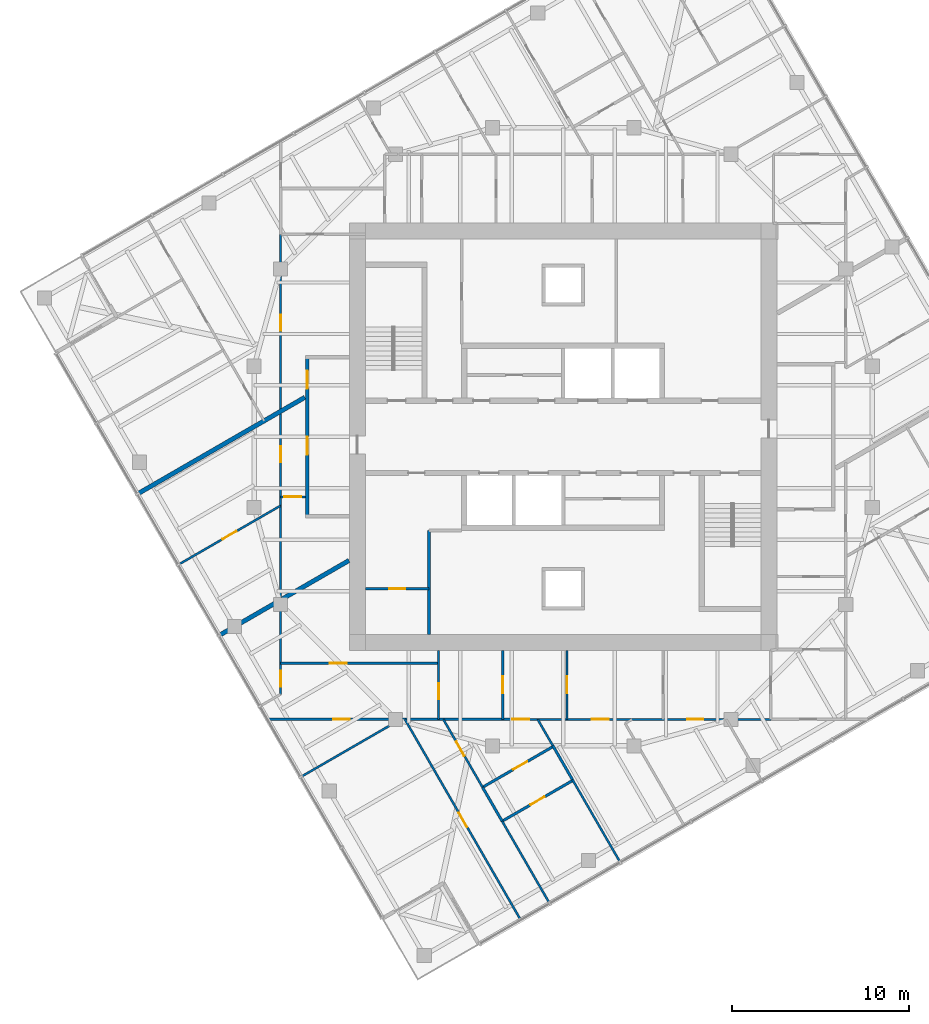
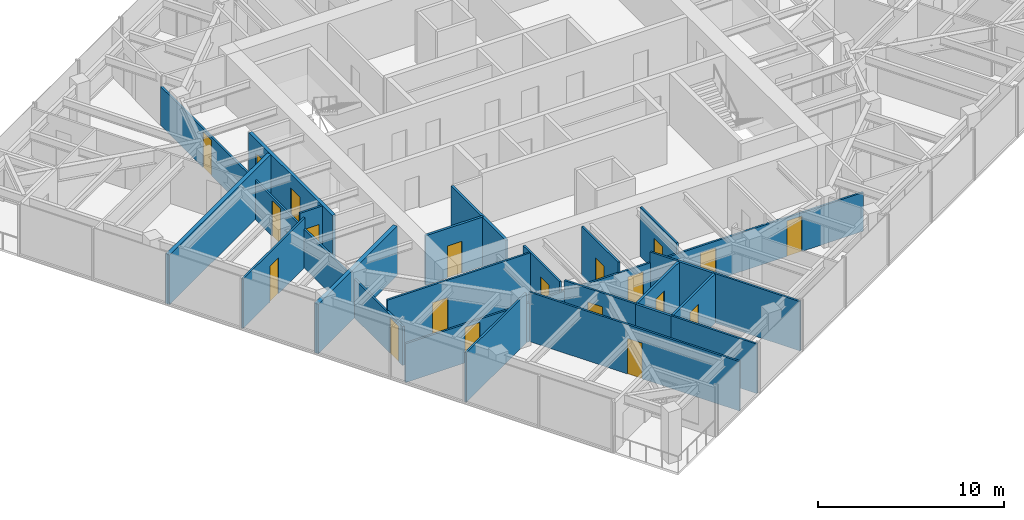
# One storey, part 7 of 12: 23 walls, 20 doors, 20 openings.
"""IFC4 building model written with IfcOpenShell, lengths in metres."""

from ifc_helpers import new_model, si_unit, direction, frame, frame_2d, origin, place, context, subcontext, project, spatial, rectangle, extrude, material, layer, layer_set, type_object, element, fill, save


model = new_model("IFC4")

# Units and contexts
model_context = context("Model", 3, precision=1e-05, world=origin(), true_north=direction((0.0, 1.0)))
body_context = subcontext(model_context, "Body", "Model", "MODEL_VIEW")
ifc_project = project(units=[si_unit("LENGTHUNIT", "METRE"), si_unit("AREAUNIT", "SQUARE_METRE"), si_unit("VOLUMEUNIT", "CUBIC_METRE"), si_unit("PLANEANGLEUNIT", "RADIAN"), si_unit("MASSUNIT", "GRAM", prefix="KILO")], contexts=[model_context])

# Site, building, storey
site_placement = place(None, origin())
site = spatial("IfcSite", under=ifc_project, at=site_placement, CompositionType="ELEMENT")
building_placement = place(site_placement, origin())
building = spatial("IfcBuilding", under=site, at=building_placement, Name="Torsade Residences", CompositionType="ELEMENT")
storey_placement = place(building_placement, frame((0.0, 0.0, 221.800048828125)))
storey = spatial("IfcBuildingStorey", under=building, at=storey_placement, Name="L61", CompositionType="ELEMENT", Elevation=221.800048828125)

# Wall, openings, doors
ifc_material_1 = material(Name="Plasterboard on steel stud", Category="steel")
ifc_layer_1 = layer(ifc_material_1, 0.199951171875)
ifc_layer_set_1 = layer_set([ifc_layer_1], Name="Plasterboard on steel stud")
wall_type_1 = type_object("IfcWallType", Name="CORRIDOR WALL 200", PredefinedType="PARTITIONING", material=ifc_layer_set_1)
wall_1_placement = place(storey_placement, frame((25.5, 25.5, 0.0), z_axis=(0.0, 0.0, 1.0), x_axis=(0.0, 1.0, 0.0)))
wall_1 = element("IfcWall", 1, at=wall_1_placement, inside=storey, type_object=wall_type_1, Name="Corridor wall L61", PredefinedType="PARTITIONING", context=body_context, shape_type="SweptSolid", body=[
    extrude(rectangle(XDim=9.0, YDim=0.199951171875, at=frame_2d((4.5, 0.0))), origin(), (0.0, 0.0, 1.0), 3.25),
])
opening_1_placement = place(wall_1_placement, frame((3.4921875, 0.0, 0.0)))
opening_1 = element("IfcOpeningElement", 2, at=opening_1_placement, cuts=wall_1, Name="Opening D01", PredefinedType="OPENING", context=body_context, shape_type="SweptSolid", body=[
    extrude(rectangle(XDim=1.02001953125, YDim=2.340087890625, at=frame_2d((0.510009765625, 1.169921875))), frame((0.0, 0.10986328125, 0.0), z_axis=(0.0, -1.0, 0.0), x_axis=(1.0, 0.0, 0.0)), (0.0, 0.0, 1.0), 0.219970703125),
])
opening_2_placement = place(wall_1_placement, frame((7.229248046875, 0.0, 0.0)))
opening_2 = element("IfcOpeningElement", 3, at=opening_2_placement, cuts=wall_1, Name="Opening D01", PredefinedType="OPENING", context=body_context, shape_type="SweptSolid", body=[
    extrude(rectangle(XDim=1.02001953125, YDim=2.340087890625, at=frame_2d((0.510009765625, 1.169921875))), frame((0.0, 0.10986328125, 0.0), z_axis=(0.0, -1.0, 0.0), x_axis=(1.0, 0.0, 0.0)), (0.0, 0.0, 1.0), 0.219970703125),
])
ifc_material_2 = material(Name="Solid-core timber fire door", Category="wood")
door_type_1 = type_object("IfcDoorType", Name="APARTMENT ENTRY DOOR 1020x2340", OperationType="NOTDEFINED", PredefinedType="DOOR", material=ifc_material_2)
door_1_placement = place(opening_1_placement, origin())
door_1 = element("IfcDoor", 4, at=door_1_placement, inside=storey, type_object=door_type_1, Name="Door Residential corridor to Kitchen and dining", OperationType="SINGLE_SWING_RIGHT", OverallHeight=2.340087890625, OverallWidth=1.02001953125, PredefinedType="DOOR", context=body_context, shape_type="SweptSolid", body=[
    extrude(rectangle(XDim=1.02001953125, YDim=2.340087890625, at=frame_2d((0.510009765625, 1.169921875))), frame((0.0, 0.02490234375, 0.0), z_axis=(0.0, -1.0, 0.0), x_axis=(1.0, 0.0, 0.0)), (0.0, 0.0, 1.0), 0.050048828125),
])
fill(opening_1, door_1)
door_2_placement = place(opening_2_placement, origin())
door_2 = element("IfcDoor", 5, at=door_2_placement, inside=storey, type_object=door_type_1, Name="Door Residential corridor to Kitchen and dining", OperationType="SINGLE_SWING_LEFT", OverallHeight=2.340087890625, OverallWidth=1.02001953125, PredefinedType="DOOR", context=body_context, shape_type="SweptSolid", body=[
    extrude(rectangle(XDim=1.02001953125, YDim=2.340087890625, at=frame_2d((0.510009765625, 1.169921875))), frame((0.0, 0.02490234375, 0.0), z_axis=(0.0, -1.0, 0.0), x_axis=(1.0, 0.0, 0.0)), (0.0, 0.0, 1.0), 0.050048828125),
])
fill(opening_2, door_2)

# Wall, opening, door
ifc_material_3 = material(Name="Plasterboard on steel stud", Category="steel")
ifc_layer_2 = layer(ifc_material_3, 0.1201171875)
ifc_layer_set_2 = layer_set([ifc_layer_2], Name="Plasterboard on steel stud")
wall_type_2 = type_object("IfcWallType", Name="PARTITION 120", PredefinedType="PARTITIONING", material=ifc_layer_set_2)
wall_2_placement = place(storey_placement, frame((25.39990234375, 26.598388671875, 0.0), z_axis=(0.0, 0.0, 1.0), x_axis=(-1.0, 0.0, 0.0)))
wall_2 = element("IfcWall", 6, at=wall_2_placement, inside=storey, type_object=wall_type_2, Name="Partition L61", PredefinedType="PARTITIONING", context=body_context, shape_type="SweptSolid", body=[
    extrude(rectangle(XDim=1.39990234375, YDim=0.1201171875, at=frame_2d((0.699951171875, 0.0))), origin(), (0.0, 0.0, 1.0), 3.25),
])
opening_3_placement = place(wall_2_placement, frame((0.219970703125, 0.0, 0.0)))
opening_3 = element("IfcOpeningElement", 7, at=opening_3_placement, cuts=wall_2, Name="Opening D05", PredefinedType="OPENING", context=body_context, shape_type="SweptSolid", body=[
    extrude(rectangle(XDim=0.9599609375, YDim=2.10009765625, at=frame_2d((0.47998046875, 1.050048828125))), frame((0.0, 0.070068359375, 0.0), z_axis=(0.0, -1.0, 0.0), x_axis=(1.0, 0.0, 0.0)), (0.0, 0.0, 1.0), 0.14013671875),
])
ifc_material_4 = material(Name="Hollow-core timber door in a steel cavity frame", Category="steel")
door_type_2 = type_object("IfcDoorType", Name="BATHROOM CAVITY SLIDING DOOR 960", OperationType="SLIDING_TO_LEFT", PredefinedType="DOOR", material=ifc_material_4)
door_3_placement = place(opening_3_placement, origin())
door_3 = element("IfcDoor", 8, at=door_3_placement, inside=storey, type_object=door_type_2, Name="Door Kitchen and dining to Bathroom", OperationType="SLIDING_TO_LEFT", OverallHeight=2.10009765625, OverallWidth=0.9599609375, PredefinedType="DOOR", context=body_context, shape_type="SweptSolid", body=[
    extrude(rectangle(XDim=0.9599609375, YDim=2.10009765625, at=frame_2d((0.47998046875, 1.050048828125))), frame((0.0, 0.02490234375, 0.0), z_axis=(0.0, -1.0, 0.0), x_axis=(1.0, 0.0, 0.0)), (0.0, 0.0, 1.0), 0.050048828125),
])
fill(opening_3, door_3)

# Wall, openings, doors
wall_3_placement = place(storey_placement, frame((24.0, 15.421875, 0.0), z_axis=(0.0, 0.0, 1.0), x_axis=(0.0, 1.0, 0.0)))
wall_3 = element("IfcWall", 9, at=wall_3_placement, inside=storey, type_object=wall_type_2, Name="Partition L61", PredefinedType="PARTITIONING", context=body_context, shape_type="SweptSolid", body=[
    extrude(rectangle(XDim=26.044677734375, YDim=0.1201171875, at=frame_2d((13.0224609375, 0.0))), origin(), (0.0, 0.0, 1.0), 2.550048828125),
])
opening_4_placement = place(wall_3_placement, frame((13.138916015625, 0.0, 0.0)))
opening_4 = element("IfcOpeningElement", 10, at=opening_4_placement, cuts=wall_3, Name="Opening D02", PredefinedType="OPENING", context=body_context, shape_type="SweptSolid", body=[
    extrude(rectangle(XDim=0.919921875, YDim=2.340087890625, at=frame_2d((0.4599609375, 1.169921875))), frame((0.0, 0.070068359375, 0.0), z_axis=(0.0, -1.0, 0.0), x_axis=(1.0, 0.0, 0.0)), (0.0, 0.0, 1.0), 0.14013671875),
])
opening_5_placement = place(wall_3_placement, frame((20.572998046875, 0.0, 0.0)))
opening_5 = element("IfcOpeningElement", 11, at=opening_5_placement, cuts=wall_3, Name="Opening D02", PredefinedType="OPENING", context=body_context, shape_type="SweptSolid", body=[
    extrude(rectangle(XDim=0.919921875, YDim=2.340087890625, at=frame_2d((0.4599609375, 1.169921875))), frame((0.0, 0.070068359375, 0.0), z_axis=(0.0, -1.0, 0.0), x_axis=(1.0, 0.0, 0.0)), (0.0, 0.0, 1.0), 0.14013671875),
])
opening_6_placement = place(wall_3_placement, frame((0.42041015625, 0.0, 0.0)))
opening_6 = element("IfcOpeningElement", 12, at=opening_6_placement, cuts=wall_3, Name="Opening D02", PredefinedType="OPENING", context=body_context, shape_type="SweptSolid", body=[
    extrude(rectangle(XDim=0.919921875, YDim=2.340087890625, at=frame_2d((0.4599609375, 1.169921875))), frame((0.0, 0.070068359375, 0.0), z_axis=(0.0, -1.0, 0.0), x_axis=(1.0, 0.0, 0.0)), (0.0, 0.0, 1.0), 0.14013671875),
])
ifc_material_5 = material(Name="Hollow-core timber door", Category="wood")
door_type_3 = type_object("IfcDoorType", Name="INTERNAL DOOR 920x2340", OperationType="NOTDEFINED", PredefinedType="DOOR", material=ifc_material_5)
door_4_placement = place(opening_4_placement, origin())
door_4 = element("IfcDoor", 13, at=door_4_placement, inside=storey, type_object=door_type_3, Name="Door Kitchen and dining to Living room", OperationType="SINGLE_SWING_RIGHT", OverallHeight=2.340087890625, OverallWidth=0.919921875, PredefinedType="DOOR", context=body_context, shape_type="SweptSolid", body=[
    extrude(rectangle(XDim=0.919921875, YDim=2.340087890625, at=frame_2d((0.4599609375, 1.169921875))), frame((0.0, 0.02490234375, 0.0), z_axis=(0.0, -1.0, 0.0), x_axis=(1.0, 0.0, 0.0)), (0.0, 0.0, 1.0), 0.050048828125),
])
fill(opening_4, door_4)
door_5_placement = place(opening_5_placement, origin())
door_5 = element("IfcDoor", 14, at=door_5_placement, inside=storey, type_object=door_type_3, Name="Door Kitchen and dining to Living room", OperationType="SINGLE_SWING_RIGHT", OverallHeight=2.340087890625, OverallWidth=0.919921875, PredefinedType="DOOR", context=body_context, shape_type="SweptSolid", body=[
    extrude(rectangle(XDim=0.919921875, YDim=2.340087890625, at=frame_2d((0.4599609375, 1.169921875))), frame((0.0, 0.02490234375, 0.0), z_axis=(0.0, -1.0, 0.0), x_axis=(1.0, 0.0, 0.0)), (0.0, 0.0, 1.0), 0.050048828125),
])
fill(opening_5, door_5)
door_6_placement = place(opening_6_placement, origin())
door_6 = element("IfcDoor", 15, at=door_6_placement, inside=storey, type_object=door_type_3, Name="Door Dressing room to Study 3", OperationType="SINGLE_SWING_LEFT", OverallHeight=2.340087890625, OverallWidth=0.919921875, PredefinedType="DOOR", context=body_context, shape_type="SweptSolid", body=[
    extrude(rectangle(XDim=0.919921875, YDim=2.340087890625, at=frame_2d((0.4599609375, 1.169921875))), frame((0.0, 0.02490234375, 0.0), z_axis=(0.0, -1.0, 0.0), x_axis=(1.0, 0.0, 0.0)), (0.0, 0.0, 1.0), 0.050048828125),
])
fill(opening_6, door_6)

# Wall, opening, door
wall_4_placement = place(storey_placement, frame((24.0, 26.10302734375, 0.0), z_axis=(0.0, 0.0, 1.0), x_axis=(-0.866017585169, -0.500013541994, 0.0)))
wall_4 = element("IfcWall", 16, at=wall_4_placement, inside=storey, type_object=wall_type_2, Name="Partition L61", PredefinedType="PARTITIONING", context=body_context, shape_type="SweptSolid", body=[
    extrude(rectangle(XDim=6.655029296875, YDim=0.1201171875, at=frame_2d((3.32763671875, 0.0))), origin(), (0.0, 0.0, 1.0), 3.25),
])
opening_7_placement = place(wall_4_placement, frame((2.887451171875, 0.0, 0.0)))
opening_7 = element("IfcOpeningElement", 17, at=opening_7_placement, cuts=wall_4, Name="Opening D02", PredefinedType="OPENING", context=body_context, shape_type="SweptSolid", body=[
    extrude(rectangle(XDim=0.919921875, YDim=2.340087890625, at=frame_2d((0.4599609375, 1.169921875))), frame((0.0, 0.070068359375, 0.0), z_axis=(0.0, -1.0, 0.0), x_axis=(1.0, 0.0, 0.0)), (0.0, 0.0, 1.0), 0.14013671875),
])
door_7_placement = place(opening_7_placement, origin())
door_7 = element("IfcDoor", 18, at=door_7_placement, inside=storey, type_object=door_type_3, Name="Door Living room to Bedroom 1", OperationType="SINGLE_SWING_LEFT", OverallHeight=2.340087890625, OverallWidth=0.919921875, PredefinedType="DOOR", context=body_context, shape_type="SweptSolid", body=[
    extrude(rectangle(XDim=0.919921875, YDim=2.340087890625, at=frame_2d((0.4599609375, 1.169921875))), frame((0.0, 0.02490234375, 0.0), z_axis=(0.0, -1.0, 0.0), x_axis=(1.0, 0.0, 0.0)), (0.0, 0.0, 1.0), 0.050048828125),
])
fill(opening_7, door_7)

wall_5_placement = place(storey_placement, frame((32.944091796875, 17.1826171875, 0.0), z_axis=(0.0, 0.0, 1.0), x_axis=(-1.0, 0.0, 0.0)))
wall_5 = element("IfcWall", 19, at=wall_5_placement, inside=storey, type_object=wall_type_2, Name="Partition L61", PredefinedType="PARTITIONING", context=body_context, shape_type="SweptSolid", body=[
    extrude(rectangle(XDim=8.944091796875, YDim=0.1201171875, at=frame_2d((4.47216796875, 0.0))), origin(), (0.0, 0.0, 1.0), 3.25),
])
opening_8_placement = place(wall_5_placement, frame((5.192138671875, 0.0, 0.0)))
opening_8 = element("IfcOpeningElement", 20, at=opening_8_placement, cuts=wall_5, Name="Opening D05", PredefinedType="OPENING", context=body_context, shape_type="SweptSolid", body=[
    extrude(rectangle(XDim=0.9599609375, YDim=2.10009765625, at=frame_2d((0.47998046875, 1.050048828125))), frame((0.0, 0.070068359375, 0.0), z_axis=(0.0, -1.0, 0.0), x_axis=(1.0, 0.0, 0.0)), (0.0, 0.0, 1.0), 0.14013671875),
])
door_8_placement = place(opening_8_placement, origin())
door_8 = element("IfcDoor", 21, at=door_8_placement, inside=storey, type_object=door_type_2, Name="Door Dressing room to Bathroom", OperationType="SLIDING_TO_LEFT", OverallHeight=2.10009765625, OverallWidth=0.9599609375, PredefinedType="DOOR", context=body_context, shape_type="SweptSolid", body=[
    extrude(rectangle(XDim=0.9599609375, YDim=2.10009765625, at=frame_2d((0.47998046875, 1.050048828125))), frame((0.0, 0.02490234375, 0.0), z_axis=(0.0, -1.0, 0.0), x_axis=(1.0, 0.0, 0.0)), (0.0, 0.0, 1.0), 0.050048828125),
])
fill(opening_8, door_8)

wall_6_placement = place(storey_placement, frame((32.944091796875, 17.89990234375, 0.0), z_axis=(0.0, 0.0, 1.0), x_axis=(0.0, -1.0, 0.0)))
wall_6 = element("IfcWall", 22, at=wall_6_placement, inside=storey, type_object=wall_type_2, Name="Partition L61", PredefinedType="PARTITIONING", context=body_context, shape_type="SweptSolid", body=[
    extrude(rectangle(XDim=3.89990234375, YDim=0.1201171875, at=frame_2d((1.949951171875, 0.0))), origin(), (0.0, 0.0, 1.0), 3.25),
])
opening_9_placement = place(wall_6_placement, frame((1.8486328125, 0.0, 0.0)))
opening_9 = element("IfcOpeningElement", 23, at=opening_9_placement, cuts=wall_6, Name="Opening D02", PredefinedType="OPENING", context=body_context, shape_type="SweptSolid", body=[
    extrude(rectangle(XDim=0.919921875, YDim=2.340087890625, at=frame_2d((0.4599609375, 1.169921875))), frame((0.0, 0.070068359375, 0.0), z_axis=(0.0, -1.0, 0.0), x_axis=(1.0, 0.0, 0.0)), (0.0, 0.0, 1.0), 0.14013671875),
])
door_9_placement = place(opening_9_placement, origin())
door_9 = element("IfcDoor", 24, at=door_9_placement, inside=storey, type_object=door_type_3, Name="Door Dressing room 2 to Dressing room", OperationType="SINGLE_SWING_RIGHT", OverallHeight=2.340087890625, OverallWidth=0.919921875, PredefinedType="DOOR", context=body_context, shape_type="SweptSolid", body=[
    extrude(rectangle(XDim=0.919921875, YDim=2.340087890625, at=frame_2d((0.4599609375, 1.169921875))), frame((0.0, 0.02490234375, 0.0), z_axis=(0.0, -1.0, 0.0), x_axis=(1.0, 0.0, 0.0)), (0.0, 0.0, 1.0), 0.050048828125),
])
fill(opening_9, door_9)

# Wall, openings, doors
wall_7_placement = place(storey_placement, frame((51.757080078125, 14.0, 0.0), z_axis=(0.0, 0.0, 1.0), x_axis=(-0.999999938148, 0.000351716958, 0.0)))
wall_7 = element("IfcWall", 25, at=wall_7_placement, inside=storey, type_object=wall_type_2, Name="Partition L61", PredefinedType="PARTITIONING", context=body_context, shape_type="SweptSolid", body=[
    extrude(rectangle(XDim=28.459716796875, YDim=0.1201171875, at=frame_2d((14.22998046875, 0.0))), origin(), (0.0, 0.0, 1.0), 2.550048828125),
])
opening_10_placement = place(wall_7_placement, frame((3.81982421875, 0.0, 0.0)))
opening_10 = element("IfcOpeningElement", 26, at=opening_10_placement, cuts=wall_7, Name="Opening D02", PredefinedType="OPENING", context=body_context, shape_type="SweptSolid", body=[
    extrude(rectangle(XDim=0.919921875, YDim=2.340087890625, at=frame_2d((0.4599609375, 1.169921875))), frame((0.0, 0.070068359375, 0.0), z_axis=(0.0, -1.0, 0.0), x_axis=(1.0, 0.0, 0.0)), (0.0, 0.0, 1.0), 0.14013671875),
])
opening_11_placement = place(wall_7_placement, frame((9.170166015625, 0.0, 0.0)))
opening_11 = element("IfcOpeningElement", 27, at=opening_11_placement, cuts=wall_7, Name="Opening D05", PredefinedType="OPENING", context=body_context, shape_type="SweptSolid", body=[
    extrude(rectangle(XDim=0.9599609375, YDim=2.10009765625, at=frame_2d((0.47998046875, 1.050048828125))), frame((0.0, 0.070068359375, 0.0), z_axis=(0.0, -1.0, 0.0), x_axis=(1.0, 0.0, 0.0)), (0.0, 0.0, 1.0), 0.14013671875),
])
opening_12_placement = place(wall_7_placement, frame((13.6796875, 0.0, 0.0)))
opening_12 = element("IfcOpeningElement", 28, at=opening_12_placement, cuts=wall_7, Name="Opening D05", PredefinedType="OPENING", context=body_context, shape_type="SweptSolid", body=[
    extrude(rectangle(XDim=0.9599609375, YDim=2.10009765625, at=frame_2d((0.47998046875, 1.050048828125))), frame((0.0, 0.070068359375, 0.0), z_axis=(0.0, -1.0, 0.0), x_axis=(1.0, 0.0, 0.0)), (0.0, 0.0, 1.0), 0.14013671875),
])
opening_13_placement = place(wall_7_placement, frame((23.853515625, 0.0, 0.0)))
opening_13 = element("IfcOpeningElement", 29, at=opening_13_placement, cuts=wall_7, Name="Opening D02", PredefinedType="OPENING", context=body_context, shape_type="SweptSolid", body=[
    extrude(rectangle(XDim=0.919921875, YDim=2.340087890625, at=frame_2d((0.4599609375, 1.169921875))), frame((0.0, 0.070068359375, 0.0), z_axis=(0.0, -1.0, 0.0), x_axis=(1.0, 0.0, 0.0)), (0.0, 0.0, 1.0), 0.14013671875),
])
door_10_placement = place(opening_11_placement, origin())
door_10 = element("IfcDoor", 30, at=door_10_placement, inside=storey, type_object=door_type_2, Name="Door Laundry to Bedroom 3", OperationType="SLIDING_TO_LEFT", OverallHeight=2.10009765625, OverallWidth=0.9599609375, PredefinedType="DOOR", context=body_context, shape_type="SweptSolid", body=[
    extrude(rectangle(XDim=0.9599609375, YDim=2.10009765625, at=frame_2d((0.47998046875, 1.050048828125))), frame((0.0, 0.02490234375, 0.0), z_axis=(0.0, -1.0, 0.0), x_axis=(1.0, 0.0, 0.0)), (0.0, 0.0, 1.0), 0.050048828125),
])
fill(opening_11, door_10)
door_11_placement = place(opening_12_placement, origin())
door_11 = element("IfcDoor", 31, at=door_11_placement, inside=storey, type_object=door_type_2, Name="Door Ensuite to Walk-in robe 2", OperationType="SLIDING_TO_LEFT", OverallHeight=2.10009765625, OverallWidth=0.9599609375, PredefinedType="DOOR", context=body_context, shape_type="SweptSolid", body=[
    extrude(rectangle(XDim=0.9599609375, YDim=2.10009765625, at=frame_2d((0.47998046875, 1.050048828125))), frame((0.0, 0.02490234375, 0.0), z_axis=(0.0, -1.0, 0.0), x_axis=(1.0, 0.0, 0.0)), (0.0, 0.0, 1.0), 0.050048828125),
])
fill(opening_12, door_11)
door_12_placement = place(opening_10_placement, origin())
door_12 = element("IfcDoor", 32, at=door_12_placement, inside=storey, type_object=door_type_3, Name="Door Walk-in robe to Media room", OperationType="SINGLE_SWING_LEFT", OverallHeight=2.340087890625, OverallWidth=0.919921875, PredefinedType="DOOR", context=body_context, shape_type="SweptSolid", body=[
    extrude(rectangle(XDim=0.919921875, YDim=2.340087890625, at=frame_2d((0.4599609375, 1.169921875))), frame((0.0, 0.02490234375, 0.0), z_axis=(0.0, -1.0, 0.0), x_axis=(1.0, 0.0, 0.0)), (0.0, 0.0, 1.0), 0.050048828125),
])
fill(opening_10, door_12)
door_13_placement = place(opening_13_placement, origin())
door_13 = element("IfcDoor", 33, at=door_13_placement, inside=storey, type_object=door_type_3, Name="Door Dressing room to Dining room 2", OperationType="SINGLE_SWING_LEFT", OverallHeight=2.340087890625, OverallWidth=0.919921875, PredefinedType="DOOR", context=body_context, shape_type="SweptSolid", body=[
    extrude(rectangle(XDim=0.919921875, YDim=2.340087890625, at=frame_2d((0.4599609375, 1.169921875))), frame((0.0, 0.02490234375, 0.0), z_axis=(0.0, -1.0, 0.0), x_axis=(1.0, 0.0, 0.0)), (0.0, 0.0, 1.0), 0.050048828125),
])
fill(opening_13, door_13)

# Wall, opening, door
wall_8_placement = place(storey_placement, frame((36.58056640625, 14.0, 0.0), z_axis=(0.0, 0.0, 1.0), x_axis=(0.0, 1.0, 0.0)))
wall_8 = element("IfcWall", 34, at=wall_8_placement, inside=storey, type_object=wall_type_2, Name="Partition L61", PredefinedType="PARTITIONING", context=body_context, shape_type="SweptSolid", body=[
    extrude(rectangle(XDim=3.89990234375, YDim=0.1201171875, at=frame_2d((1.949951171875, 0.0))), origin(), (0.0, 0.0, 1.0), 3.25),
])
opening_14_placement = place(wall_8_placement, frame((1.469970703125, 0.0, 0.0)))
opening_14 = element("IfcOpeningElement", 35, at=opening_14_placement, cuts=wall_8, Name="Opening D05", PredefinedType="OPENING", context=body_context, shape_type="SweptSolid", body=[
    extrude(rectangle(XDim=0.9599609375, YDim=2.10009765625, at=frame_2d((0.47998046875, 1.050048828125))), frame((0.0, 0.070068359375, 0.0), z_axis=(0.0, -1.0, 0.0), x_axis=(1.0, 0.0, 0.0)), (0.0, 0.0, 1.0), 0.14013671875),
])
door_14_placement = place(opening_14_placement, origin())
door_14 = element("IfcDoor", 36, at=door_14_placement, inside=storey, type_object=door_type_2, Name="Door Ensuite to Dressing room 2", OperationType="SLIDING_TO_LEFT", OverallHeight=2.10009765625, OverallWidth=0.9599609375, PredefinedType="DOOR", context=body_context, shape_type="SweptSolid", body=[
    extrude(rectangle(XDim=0.9599609375, YDim=2.10009765625, at=frame_2d((0.47998046875, 1.050048828125))), frame((0.0, 0.02490234375, 0.0), z_axis=(0.0, -1.0, 0.0), x_axis=(1.0, 0.0, 0.0)), (0.0, 0.0, 1.0), 0.050048828125),
])
fill(opening_14, door_14)

wall_9_placement = place(storey_placement, frame((40.217041015625, 17.89990234375, 0.0), z_axis=(0.0, 0.0, 1.0), x_axis=(0.0, -1.0, 0.0)))
wall_9 = element("IfcWall", 37, at=wall_9_placement, inside=storey, type_object=wall_type_2, Name="Partition L61", PredefinedType="PARTITIONING", context=body_context, shape_type="SweptSolid", body=[
    extrude(rectangle(XDim=3.89990234375, YDim=0.1201171875, at=frame_2d((1.949951171875, 0.0))), origin(), (0.0, 0.0, 1.0), 3.25),
])
opening_15_placement = place(wall_9_placement, frame((1.469970703125, 0.0, 0.0)))
opening_15 = element("IfcOpeningElement", 38, at=opening_15_placement, cuts=wall_9, Name="Opening D05", PredefinedType="OPENING", context=body_context, shape_type="SweptSolid", body=[
    extrude(rectangle(XDim=0.9599609375, YDim=2.10009765625, at=frame_2d((0.47998046875, 1.050048828125))), frame((0.0, 0.070068359375, 0.0), z_axis=(0.0, -1.0, 0.0), x_axis=(1.0, 0.0, 0.0)), (0.0, 0.0, 1.0), 0.14013671875),
])
door_15_placement = place(opening_15_placement, origin())
door_15 = element("IfcDoor", 39, at=door_15_placement, inside=storey, type_object=door_type_2, Name="Door Laundry to Ensuite", OperationType="SLIDING_TO_LEFT", OverallHeight=2.10009765625, OverallWidth=0.9599609375, PredefinedType="DOOR", context=body_context, shape_type="SweptSolid", body=[
    extrude(rectangle(XDim=0.9599609375, YDim=2.10009765625, at=frame_2d((0.47998046875, 1.050048828125))), frame((0.0, 0.02490234375, 0.0), z_axis=(0.0, -1.0, 0.0), x_axis=(1.0, 0.0, 0.0)), (0.0, 0.0, 1.0), 0.050048828125),
])
fill(opening_15, door_15)

wall_10_placement = place(storey_placement, frame((31.03857421875, 14.0, 0.0), z_axis=(0.0, 0.0, 1.0), x_axis=(0.500006184843, -0.866021832934, 0.0)))
wall_10 = element("IfcWall", 40, at=wall_10_placement, inside=storey, type_object=wall_type_2, Name="Partition L61", PredefinedType="PARTITIONING", context=body_context, shape_type="SweptSolid", body=[
    extrude(rectangle(XDim=13.084228515625, YDim=0.1201171875, at=frame_2d((6.5419921875, 0.0))), origin(), (0.0, 0.0, 1.0), 3.25),
])
opening_16_placement = place(wall_10_placement, frame((6.10205078125, 0.0, 0.0)))
opening_16 = element("IfcOpeningElement", 41, at=opening_16_placement, cuts=wall_10, Name="Opening D02", PredefinedType="OPENING", context=body_context, shape_type="SweptSolid", body=[
    extrude(rectangle(XDim=0.919921875, YDim=2.340087890625, at=frame_2d((0.4599609375, 1.169921875))), frame((0.0, 0.070068359375, 0.0), z_axis=(0.0, -1.0, 0.0), x_axis=(1.0, 0.0, 0.0)), (0.0, 0.0, 1.0), 0.14013671875),
])
door_16_placement = place(opening_16_placement, origin())
door_16 = element("IfcDoor", 42, at=door_16_placement, inside=storey, type_object=door_type_3, Name="Door Walk-in robe 3 to Living room", OperationType="SINGLE_SWING_LEFT", OverallHeight=2.340087890625, OverallWidth=0.919921875, PredefinedType="DOOR", context=body_context, shape_type="SweptSolid", body=[
    extrude(rectangle(XDim=0.919921875, YDim=2.340087890625, at=frame_2d((0.4599609375, 1.169921875))), frame((0.0, 0.02490234375, 0.0), z_axis=(0.0, -1.0, 0.0), x_axis=(1.0, 0.0, 0.0)), (0.0, 0.0, 1.0), 0.050048828125),
])
fill(opening_16, door_16)

# Walls
wall_11_placement = place(storey_placement, frame((25.174072265625, 10.75927734375, 0.0), z_axis=(0.0, 0.0, 1.0), x_axis=(0.866023120914, 0.500003954026, 0.0)))
element("IfcWall", 43, at=wall_11_placement, inside=storey, type_object=wall_type_2, Name="Partition L61", PredefinedType="PARTITIONING", context=body_context, shape_type="SweptSolid", body=[
    extrude(rectangle(XDim=6.4814453125, YDim=0.1201171875, at=frame_2d((3.24072265625, 0.0))), origin(), (0.0, 0.0, 1.0), 3.25),
])
wall_12_placement = place(storey_placement, frame((43.21923828125, 5.924072265625, 0.0), z_axis=(0.0, 0.0, 1.0), x_axis=(-0.500003544594, 0.866023357302, 0.0)))
element("IfcWall", 44, at=wall_12_placement, inside=storey, type_object=wall_type_2, Name="Partition L61", PredefinedType="PARTITIONING", context=body_context, shape_type="SweptSolid", body=[
    extrude(rectangle(XDim=5.38818359375, YDim=0.1201171875, at=frame_2d((2.694091796875, 0.0))), origin(), (0.0, 0.0, 1.0), 3.25),
])
wall_13_placement = place(storey_placement, frame((39.415771484375, 12.511962890625, 0.0), z_axis=(0.0, 0.0, 1.0), x_axis=(-0.500005339912, 0.866022320763, 0.0)))
element("IfcWall", 45, at=wall_13_placement, inside=storey, type_object=wall_type_2, Name="Partition L61", PredefinedType="PARTITIONING", context=body_context, shape_type="SweptSolid", body=[
    extrude(rectangle(XDim=1.71826171875, YDim=0.1201171875, at=frame_2d((0.859130859375, 0.0))), origin(), (0.0, 0.0, 1.0), 3.25),
])
wall_14_placement = place(storey_placement, frame((39.2138671875, 3.611572265625, 0.0), z_axis=(0.0, 0.0, 1.0), x_axis=(-0.499995631649, 0.866027925839, 0.0)))
element("IfcWall", 46, at=wall_14_placement, inside=storey, type_object=wall_type_2, Name="Partition L61", PredefinedType="PARTITIONING", context=body_context, shape_type="SweptSolid", body=[
    extrude(rectangle(XDim=5.337890625, YDim=0.1201171875, at=frame_2d((2.6689453125, 0.0))), origin(), (0.0, 0.0, 1.0), 3.25),
])

# Wall, opening, door
wall_15_placement = place(storey_placement, frame((35.435302734375, 10.15625, 0.0), z_axis=(0.0, 0.0, 1.0), x_axis=(-0.499966886051, 0.866044521288, 0.0)))
wall_15 = element("IfcWall", 47, at=wall_15_placement, inside=storey, type_object=wall_type_2, Name="Partition L61", PredefinedType="PARTITIONING", context=body_context, shape_type="SweptSolid", body=[
    extrude(rectangle(XDim=4.438232421875, YDim=0.1201171875, at=frame_2d((2.21923828125, 0.0))), origin(), (0.0, 0.0, 1.0), 3.25),
])
opening_17_placement = place(wall_15_placement, frame((2.05908203125, 0.0, 0.0)))
opening_17 = element("IfcOpeningElement", 48, at=opening_17_placement, cuts=wall_15, Name="Opening D02", PredefinedType="OPENING", context=body_context, shape_type="SweptSolid", body=[
    extrude(rectangle(XDim=0.919921875, YDim=2.340087890625, at=frame_2d((0.4599609375, 1.169921875))), frame((0.0, 0.070068359375, 0.0), z_axis=(0.0, -1.0, 0.0), x_axis=(1.0, 0.0, 0.0)), (0.0, 0.0, 1.0), 0.14013671875),
])
door_17_placement = place(opening_17_placement, origin())
door_17 = element("IfcDoor", 49, at=door_17_placement, inside=storey, type_object=door_type_3, Name="Door Walk-in robe 2 to Walk-in robe 3", OperationType="SINGLE_SWING_RIGHT", OverallHeight=2.340087890625, OverallWidth=0.919921875, PredefinedType="DOOR", context=body_context, shape_type="SweptSolid", body=[
    extrude(rectangle(XDim=0.919921875, YDim=2.340087890625, at=frame_2d((0.4599609375, 1.169921875))), frame((0.0, 0.02490234375, 0.0), z_axis=(0.0, -1.0, 0.0), x_axis=(1.0, 0.0, 0.0)), (0.0, 0.0, 1.0), 0.050048828125),
])
fill(opening_17, door_17)

# Walls
ifc_material_6 = material(Name="Masonry-lined stud party wall", Category="masonry")
ifc_layer_3 = layer(ifc_material_6, 0.25)
ifc_layer_set_3 = layer_set([ifc_layer_3], Name="Masonry-lined stud party wall")
wall_type_3 = type_object("IfcWallType", Name="PARTY WALL 250", PredefinedType="PARTITIONING", material=ifc_layer_set_3)
wall_16_placement = place(storey_placement, frame((15.889404296875, 26.7607421875, 0.0), z_axis=(0.0, 0.0, 1.0), x_axis=(0.866024069551, 0.500002310952, 0.0)))
element("IfcWall", 50, at=wall_16_placement, inside=storey, type_object=wall_type_3, Name="Party wall L61", PredefinedType="PARTITIONING", context=body_context, shape_type="SweptSolid", body=[
    extrude(rectangle(XDim=10.94970703125, YDim=0.25, at=frame_2d((5.474853515625, 0.0))), origin(), (0.0, 0.0, 1.0), 3.25),
])
wall_17_placement = place(storey_placement, frame((20.514404296875, 18.75, 0.0), z_axis=(0.0, 0.0, 1.0), x_axis=(0.866020489494, 0.500008511703, 0.0)))
element("IfcWall", 51, at=wall_17_placement, inside=storey, type_object=wall_type_3, Name="Party wall L61", PredefinedType="PARTITIONING", context=body_context, shape_type="SweptSolid", body=[
    extrude(rectangle(XDim=8.495849609375, YDim=0.25, at=frame_2d((4.248046875, 0.0))), origin(), (0.0, 0.0, 1.0), 3.25),
])
ifc_material_7 = material(Name="Reinforced blockwork", Category="masonry")
ifc_layer_4 = layer(ifc_material_7, 0.14990234375)
ifc_layer_set_4 = layer_set([ifc_layer_4], Name="Reinforced blockwork")
wall_type_4 = type_object("IfcWallType", Name="SERVICE ROOM WALL 150", PredefinedType="SOLIDWALL", material=ifc_layer_set_4)
wall_18_placement = place(storey_placement, frame((32.39990234375, 18.800048828125, 0.0), z_axis=(0.0, 0.0, 1.0), x_axis=(0.0, 1.0, 0.0)))
element("IfcWall", 52, at=wall_18_placement, inside=storey, type_object=wall_type_4, Name="Service room wall L61", PredefinedType="SOLIDWALL", context=body_context, shape_type="SweptSolid", body=[
    extrude(rectangle(XDim=5.89990234375, YDim=0.14990234375, at=frame_2d((2.949951171875, 0.0))), origin(), (0.0, 0.0, 1.0), 3.25),
])

# Wall, opening, door
wall_19_placement = place(storey_placement, frame((32.39990234375, 21.39990234375, 0.0), z_axis=(0.0, 0.0, 1.0), x_axis=(-1.0, 0.0, 0.0)))
wall_19 = element("IfcWall", 53, at=wall_19_placement, inside=storey, type_object=wall_type_4, Name="Service room wall L61", PredefinedType="SOLIDWALL", context=body_context, shape_type="SweptSolid", body=[
    extrude(rectangle(XDim=3.599853515625, YDim=0.14990234375, at=frame_2d((1.7998046875, 0.0))), origin(), (0.0, 0.0, 1.0), 3.25),
])
opening_18_placement = place(wall_19_placement, frame((1.340087890625, 0.0, 0.0)))
opening_18 = element("IfcOpeningElement", 54, at=opening_18_placement, cuts=wall_19, Name="Opening D06", PredefinedType="OPENING", context=body_context, shape_type="SweptSolid", body=[
    extrude(rectangle(XDim=0.919921875, YDim=2.10009765625, at=frame_2d((0.4599609375, 1.050048828125))), frame((0.0, 0.0849609375, 0.0), z_axis=(0.0, -1.0, 0.0), x_axis=(1.0, 0.0, 0.0)), (0.0, 0.0, 1.0), 0.169921875),
])
ifc_material_8 = material(Name="Steel-framed fire door", Category="steel")
door_type_4 = type_object("IfcDoorType", Name="FIRE DOOR 920", OperationType="NOTDEFINED", PredefinedType="DOOR", material=ifc_material_8)
door_18_placement = place(opening_18_placement, origin())
door_18 = element("IfcDoor", 55, at=door_18_placement, inside=storey, type_object=door_type_4, Name="Door Cleaner store to Hose reel and hydrant store", OperationType="SINGLE_SWING_LEFT", OverallHeight=2.10009765625, OverallWidth=0.919921875, PredefinedType="DOOR", context=body_context, shape_type="SweptSolid", body=[
    extrude(rectangle(XDim=0.919921875, YDim=2.10009765625, at=frame_2d((0.4599609375, 1.050048828125))), frame((0.0, 0.02490234375, 0.0), z_axis=(0.0, -1.0, 0.0), x_axis=(1.0, 0.0, 0.0)), (0.0, 0.0, 1.0), 0.050048828125),
])
fill(opening_18, door_18)

# Wall
wall_20_placement = place(storey_placement, frame((40.525146484375, 10.59033203125, 0.0), z_axis=(0.0, 0.0, 1.0), x_axis=(-0.499973265211, 0.866040838572, 0.0)))
element("IfcWall", 56, at=wall_20_placement, inside=storey, type_object=wall_type_4, Name="Service room wall L61", PredefinedType="SOLIDWALL", context=body_context, shape_type="SweptSolid", body=[
    extrude(rectangle(XDim=2.21875, YDim=0.14990234375, at=frame_2d((1.109375, 0.0))), origin(), (0.0, 0.0, 1.0), 3.25),
])

# Wall, opening, door
wall_21_placement = place(storey_placement, frame((36.544921875, 8.234375, 0.0), z_axis=(0.0, 0.0, 1.0), x_axis=(0.866025598446, 0.499999662836, 0.0)))
wall_21 = element("IfcWall", 57, at=wall_21_placement, inside=storey, type_object=wall_type_4, Name="Service room wall L61", PredefinedType="SOLIDWALL", context=body_context, shape_type="SweptSolid", body=[
    extrude(rectangle(XDim=4.625, YDim=0.14990234375, at=frame_2d((2.3125, 0.0))), origin(), (0.0, 0.0, 1.0), 3.25),
])
opening_19_placement = place(wall_21_placement, frame((1.8525390625, 0.0, 0.0)))
opening_19 = element("IfcOpeningElement", 58, at=opening_19_placement, cuts=wall_21, Name="Opening D02", PredefinedType="OPENING", context=body_context, shape_type="SweptSolid", body=[
    extrude(rectangle(XDim=0.919921875, YDim=2.340087890625, at=frame_2d((0.4599609375, 1.169921875))), frame((0.0, 0.0849609375, 0.0), z_axis=(0.0, -1.0, 0.0), x_axis=(1.0, 0.0, 0.0)), (0.0, 0.0, 1.0), 0.169921875),
])
door_19_placement = place(opening_19_placement, origin())
door_19 = element("IfcDoor", 59, at=door_19_placement, inside=storey, type_object=door_type_3, Name="Door Linen store 2 to Family room", OperationType="SINGLE_SWING_RIGHT", OverallHeight=2.340087890625, OverallWidth=0.919921875, PredefinedType="DOOR", context=body_context, shape_type="SweptSolid", body=[
    extrude(rectangle(XDim=0.919921875, YDim=2.340087890625, at=frame_2d((0.4599609375, 1.169921875))), frame((0.0, 0.02490234375, 0.0), z_axis=(0.0, -1.0, 0.0), x_axis=(1.0, 0.0, 0.0)), (0.0, 0.0, 1.0), 0.050048828125),
])
fill(opening_19, door_19)

wall_22_placement = place(storey_placement, frame((39.440673828125, 12.46875, 0.0), z_axis=(0.0, 0.0, 1.0), x_axis=(-0.866025598446, -0.499999662836, 0.0)))
wall_22 = element("IfcWall", 60, at=wall_22_placement, inside=storey, type_object=wall_type_4, Name="Service room wall L61", PredefinedType="SOLIDWALL", context=body_context, shape_type="SweptSolid", body=[
    extrude(rectangle(XDim=4.625, YDim=0.14990234375, at=frame_2d((2.3125, 0.0))), origin(), (0.0, 0.0, 1.0), 3.25),
])
opening_20_placement = place(wall_22_placement, frame((1.702392578125, 0.0, 0.0)))
opening_20 = element("IfcOpeningElement", 61, at=opening_20_placement, cuts=wall_22, Name="Opening D02", PredefinedType="OPENING", context=body_context, shape_type="SweptSolid", body=[
    extrude(rectangle(XDim=0.919921875, YDim=2.340087890625, at=frame_2d((0.4599609375, 1.169921875))), frame((0.0, 0.0849609375, 0.0), z_axis=(0.0, -1.0, 0.0), x_axis=(1.0, 0.0, 0.0)), (0.0, 0.0, 1.0), 0.169921875),
])
door_20_placement = place(opening_20_placement, origin())
door_20 = element("IfcDoor", 62, at=door_20_placement, inside=storey, type_object=door_type_3, Name="Door Walk-in robe 2 to Linen store 2", OperationType="SINGLE_SWING_LEFT", OverallHeight=2.340087890625, OverallWidth=0.919921875, PredefinedType="DOOR", context=body_context, shape_type="SweptSolid", body=[
    extrude(rectangle(XDim=0.919921875, YDim=2.340087890625, at=frame_2d((0.4599609375, 1.169921875))), frame((0.0, 0.02490234375, 0.0), z_axis=(0.0, -1.0, 0.0), x_axis=(1.0, 0.0, 0.0)), (0.0, 0.0, 1.0), 0.050048828125),
])
fill(opening_20, door_20)

# Wall
wall_23_placement = place(storey_placement, frame((35.435302734375, 10.15625, 0.0), z_axis=(0.0, 0.0, 1.0), x_axis=(0.500008142102, -0.866020702889, 0.0)))
element("IfcWall", 63, at=wall_23_placement, inside=storey, type_object=wall_type_4, Name="Service room wall L61", PredefinedType="SOLIDWALL", context=body_context, shape_type="SweptSolid", body=[
    extrude(rectangle(XDim=2.21923828125, YDim=0.14990234375, at=frame_2d((1.109619140625, 0.0))), origin(), (0.0, 0.0, 1.0), 3.25),
])

save(model, "model.ifc")
